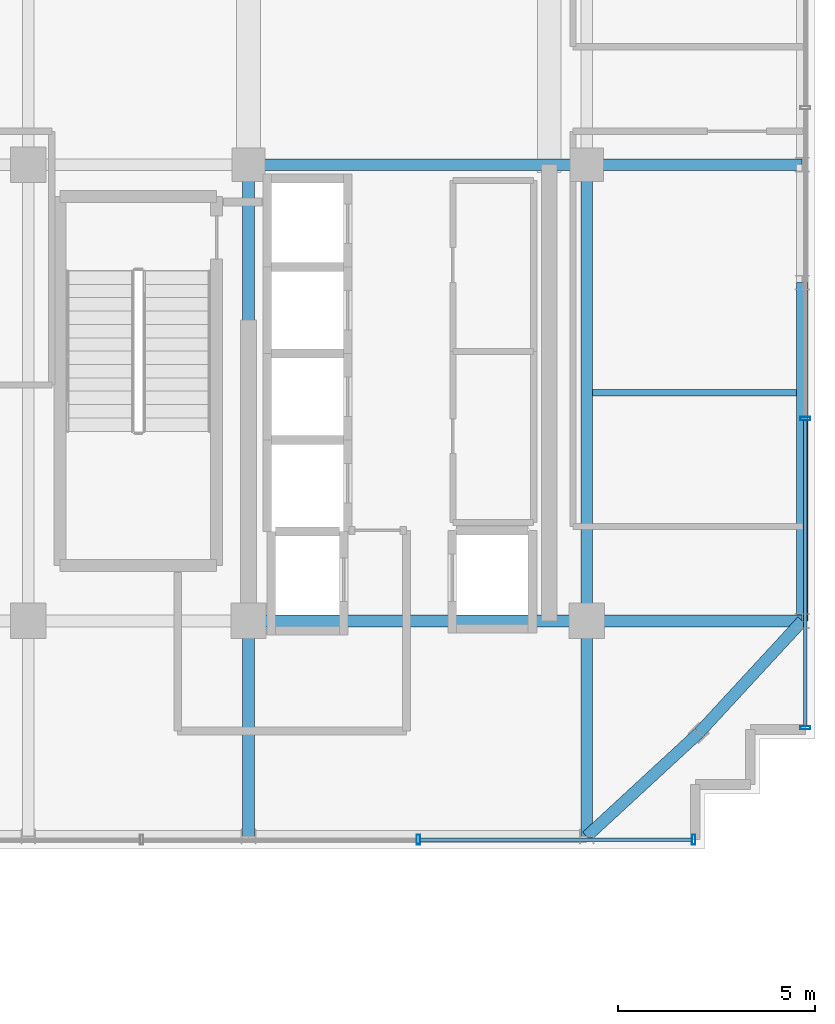
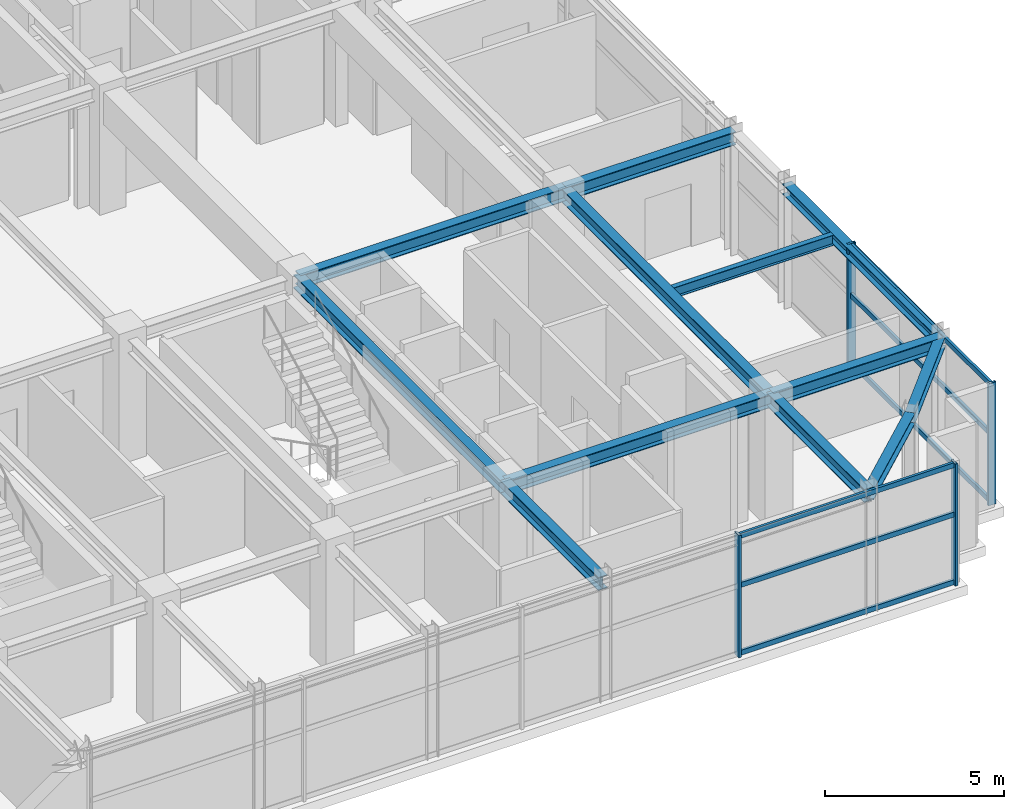
# One storey, part 10 of 25: 12 beams, 10 members, 2 elements without a shape of their own.
"""IFC4 building model written with IfcOpenShell, lengths in metres."""

import ifcopenshell
import ifcopenshell.guid

model = None  # the IFC model being written
_history = None  # IfcOwnerHistory: only IFC2X3 demands one
_inside = {}  # id of a spatial element -> (the spatial element, [elements in it])
_under = {}  # id of a project, library or spatial element -> (it, [spatial elements below it])
_declared = {}  # id of a project -> (the project, [libraries it declares])
_typed = {}  # id of a type object -> (the type object, [elements of that type])
_made_of = {}  # id of a material, layer set ... -> (it, [elements and type objects made of it])


def new_model(schema):
    """Start an empty IFC model of exactly this schema.

    Asked for "IFC4X3", IfcOpenShell would pick the latest addendum, in which some entities
    have other attributes; the version numbers below select the first issue.
    IFC2X3 requires an IfcOwnerHistory on every rooted entity: one is made here for all.
    """
    global model, _history
    if schema == "IFC4X3":
        model = ifcopenshell.file(schema_version=(4, 3, 0, 0))
    else:
        model = ifcopenshell.file(schema=schema)
    _inside.clear()
    _under.clear()
    _declared.clear()
    _typed.clear()
    _made_of.clear()
    _history = None
    if model.schema == "IFC2X3":
        org = make("IfcOrganization", Name="unknown")
        user = make(
            "IfcPersonAndOrganization",
            ThePerson=make("IfcPerson", FamilyName="unknown"),
            TheOrganization=org,
        )
        app = make(
            "IfcApplication",
            ApplicationDeveloper=org,
            Version="unknown",
            ApplicationFullName="unknown",
            ApplicationIdentifier="unknown",
        )
        _history = make(
            "IfcOwnerHistory",
            OwningUser=user,
            OwningApplication=app,
            ChangeAction="ADDED",
            CreationDate=0,
        )
    return model


def make(cls, **values):
    """One entity of the class cls with the attributes given. An attribute that is None is left unset."""
    return model.create_entity(
        cls, **{name: value for name, value in values.items() if value is not None}
    )


def rooted(cls, **values):
    """An entity with a GlobalId (a new one), such as an element, a storey or a relation."""
    return make(cls, GlobalId=ifcopenshell.guid.new(), OwnerHistory=_history, **values)


def si_unit(unit_type, name, prefix=None):
    """IfcSIUnit, for example si_unit("LENGTHUNIT", "METRE", prefix="MILLI")."""
    return make("IfcSIUnit", UnitType=unit_type, Prefix=prefix, Name=name)


def assignment(units):
    """IfcUnitAssignment: the units of a project."""
    return None if units is None else make("IfcUnitAssignment", Units=units)


def point(xyz):
    """IfcCartesianPoint."""
    return None if xyz is None else make("IfcCartesianPoint", Coordinates=xyz)


def direction(xyz):
    """IfcDirection."""
    return None if xyz is None else make("IfcDirection", DirectionRatios=xyz)


def frame(location, z_axis=None, x_axis=None):
    """IfcAxis2Placement3D, a coordinate frame: its origin and axes. An axis left out is left unset."""
    return make(
        "IfcAxis2Placement3D",
        Location=point(location),
        Axis=direction(z_axis),
        RefDirection=direction(x_axis),
    )


def frame_2d(location, x_axis=None):
    """IfcAxis2Placement2D, a coordinate frame in the plane: its origin and x axis."""
    return make(
        "IfcAxis2Placement2D", Location=point(location), RefDirection=direction(x_axis)
    )


def origin():
    """The frame at (0, 0, 0) with its axes left unset."""
    return frame((0.0, 0.0, 0.0))


def origin_2d():
    """The frame at (0, 0) in the plane with its x axis left unset."""
    return frame_2d((0.0, 0.0))


def place(relative_to, where):
    """IfcLocalPlacement: puts the frame where relative to a parent placement (None: the world)."""
    return make(
        "IfcLocalPlacement", PlacementRelTo=relative_to, RelativePlacement=where
    )


def context(
    kind, dimensions, precision=None, world=None, true_north=None, identifier=None
):
    """IfcGeometricRepresentationContext, for example the 3D "Model" context."""
    return make(
        "IfcGeometricRepresentationContext",
        ContextIdentifier=identifier,
        ContextType=kind,
        CoordinateSpaceDimension=dimensions,
        Precision=precision,
        WorldCoordinateSystem=world,
        TrueNorth=true_north,
    )


def subcontext(parent, identifier, kind, view, scale=None):
    """IfcGeometricRepresentationSubContext, for example "Body" below "Model"."""
    return make(
        "IfcGeometricRepresentationSubContext",
        ContextIdentifier=identifier,
        ContextType=kind,
        ParentContext=parent,
        TargetScale=scale,
        TargetView=view,
    )


def project(units=None, contexts=None):
    """IfcProject with its units and contexts."""
    return rooted(
        "IfcProject",
        Name="project",
        RepresentationContexts=contexts,
        UnitsInContext=assignment(units),
    )


def spatial(cls, under=None, at=None, **own):
    """A site, building, storey or space (cls), placed at a placement, below another one or the project."""
    s = rooted(cls, ObjectPlacement=at, **own)
    if under is not None:
        _under.setdefault(under.id(), (under, []))[1].append(s)
    return s


def profile(cls, at=None, kind="AREA", **sizes):
    """A parametric profile (cls). Its sizes go by their IFC names, for example OverallWidth=200.0."""
    return make(cls, ProfileType=kind, Position=at, **sizes)


def hollow_rectangle(**sizes):
    """IfcRectangleHollowProfileDef."""
    return profile("IfcRectangleHollowProfileDef", **sizes)


def i_section(**sizes):
    """IfcIShapeProfileDef."""
    return profile("IfcIShapeProfileDef", **sizes)


def extrude(swept, where, along, depth):
    """IfcExtrudedAreaSolid: the profile swept, set in the frame where, extruded along a direction by depth."""
    return make(
        "IfcExtrudedAreaSolid",
        SweptArea=swept,
        Position=where,
        ExtrudedDirection=direction(along),
        Depth=depth,
    )


def shape(context_of_items, identifier, shape_type, items):
    """IfcShapeRepresentation: the items that make up one representation, for example the "Body"."""
    return make(
        "IfcShapeRepresentation",
        ContextOfItems=context_of_items,
        RepresentationIdentifier=identifier,
        RepresentationType=shape_type,
        Items=items,
    )


def source(mapping_origin, context_of_items, identifier, shape_type, items):
    """IfcRepresentationMap: a shape defined once, which mapped items show again and again."""
    return make(
        "IfcRepresentationMap",
        MappingOrigin=mapping_origin,
        MappedRepresentation=shape(context_of_items, identifier, shape_type, items),
    )


def transform(
    local_origin,
    x_axis=None,
    y_axis=None,
    z_axis=None,
    scale=None,
    scale2=None,
    scale3=None,
    uniform=True,
):
    """IfcCartesianTransformationOperator3D, or its non-uniform kind. x_axis, y_axis, z_axis: its Axis1, 2, 3."""
    if uniform:
        return make(
            "IfcCartesianTransformationOperator3D",
            Axis1=direction(x_axis),
            Axis2=direction(y_axis),
            LocalOrigin=point(local_origin),
            Scale=scale,
            Axis3=direction(z_axis),
        )
    return make(
        "IfcCartesianTransformationOperator3DnonUniform",
        Axis1=direction(x_axis),
        Axis2=direction(y_axis),
        LocalOrigin=point(local_origin),
        Scale=scale,
        Axis3=direction(z_axis),
        Scale2=scale2,
        Scale3=scale3,
    )


def mapped(mapping_source, mapping_target):
    """IfcMappedItem: shows the shape of a source again, moved by a transform."""
    return make(
        "IfcMappedItem", MappingSource=mapping_source, MappingTarget=mapping_target
    )


def material(Name=None, Category=None):
    """IfcMaterial."""
    return make("IfcMaterial", Name=Name, Category=Category)


def material_profile(
    of_material, cross_section, Name=None, Category=None, Priority=None
):
    """IfcMaterialProfile: a cross section and its material."""
    return make(
        "IfcMaterialProfile",
        Name=Name,
        Material=of_material,
        Profile=cross_section,
        Priority=Priority,
        Category=Category,
    )


def profile_set(profiles, Name=None, composite=None):
    """IfcMaterialProfileSet."""
    return make(
        "IfcMaterialProfileSet",
        Name=Name,
        MaterialProfiles=profiles,
        CompositeProfile=composite,
    )


def made_of(thing, what):
    """Note that an element or type object is made of a material, layer set ...; save() writes the relation."""
    if what is not None:
        _made_of.setdefault(what.id(), (what, []))[1].append(thing)
    return thing


def type_object(cls, material=None, **own):
    """A type object (cls), such as IfcWallType, which elements share."""
    return made_of(rooted(cls, **own), material)


def element(
    cls,
    number,
    at=None,
    inside=None,
    cuts=None,
    type_object=None,
    material=None,
    context=None,
    identifier="Body",
    shape_type=None,
    held_by="IfcProductDefinitionShape",
    body=None,
    shapes=None,
    **own,
):
    """One element of the class cls, such as IfcWall. Its Tag is "e" and its number.

    at: its placement. inside: the storey or other place that contains it. cuts: it is an
    opening in that element (IfcRelVoidsElement). A single representation is given by context,
    identifier, shape_type and body (its items); several are given by shapes. held_by: the class
    of the entity that holds the representations. save() writes the other relations.
    """
    e = rooted(cls, Tag="e%d" % number, ObjectPlacement=at, **own)
    if body is not None:
        shapes = [shape(context, identifier, shape_type, body)]
    if shapes is not None:
        e.Representation = make(held_by, Representations=shapes)
    if inside is not None:
        _inside.setdefault(inside.id(), (inside, []))[1].append(e)
    if cuts is not None:
        rooted(
            "IfcRelVoidsElement", RelatingBuildingElement=cuts, RelatedOpeningElement=e
        )
    if type_object is not None:
        _typed.setdefault(type_object.id(), (type_object, []))[1].append(e)
    return made_of(e, material)


def aggregate(whole, parts):
    """IfcRelAggregates: a whole, such as a stair, and the parts it consists of."""
    return rooted("IfcRelAggregates", RelatingObject=whole, RelatedObjects=parts)


def save(model, path):
    """Write the relations noted so far, then the file.

    IfcRelAggregates (storeys below a building ...), IfcRelContainedInSpatialStructure (elements
    in a storey), IfcRelDefinesByType, IfcRelAssociatesMaterial and IfcRelDeclares: one each for
    every whole, place, type object, material and project.
    """
    for whole, parts in _under.values():
        aggregate(whole, parts)
    for where, things in _inside.values():
        rooted(
            "IfcRelContainedInSpatialStructure",
            RelatedElements=things,
            RelatingStructure=where,
        )
    for kind, things in _typed.values():
        rooted("IfcRelDefinesByType", RelatedObjects=things, RelatingType=kind)
    for what, things in _made_of.values():
        rooted("IfcRelAssociatesMaterial", RelatedObjects=things, RelatingMaterial=what)
    for by, libraries in _declared.values():
        rooted("IfcRelDeclares", RelatingContext=by, RelatedDefinitions=libraries)
    model.write(path)


model = new_model("IFC4")

# Units and contexts
model_context = context("Model", 3, precision=1e-05, world=origin(), true_north=direction((0.0, 1.0)))
body_context = subcontext(model_context, "Body", "Model", "MODEL_VIEW")
ifc_project = project(units=[si_unit("LENGTHUNIT", "METRE"), si_unit("AREAUNIT", "SQUARE_METRE"), si_unit("VOLUMEUNIT", "CUBIC_METRE"), si_unit("PLANEANGLEUNIT", "RADIAN"), si_unit("MASSUNIT", "GRAM", prefix="KILO")], contexts=[model_context])

# Site, building, storey
site_placement = place(None, origin())
site = spatial("IfcSite", under=ifc_project, at=site_placement, CompositionType="ELEMENT")
building_placement = place(site_placement, origin())
building = spatial("IfcBuilding", under=site, at=building_placement, Name="Nahalor Promenade Grand Hotel", CompositionType="ELEMENT")
storey_placement = place(building_placement, frame((0.0, 0.0, 338.550048828125)))
storey = spatial("IfcBuildingStorey", under=building, at=storey_placement, Name="L87", CompositionType="ELEMENT", Elevation=338.550048828125)

# Beams
ifc_material_1 = material(Name="Steel S355JR", Category="steel")
ifc_material_profile_1 = material_profile(ifc_material_1, i_section(OverallWidth=0.3, OverallDepth=0.45, WebThickness=0.014, FlangeThickness=0.026, at=origin_2d()), Name="HEB 450")
ifc_profile_set_1 = profile_set([ifc_material_profile_1], Name="Steel S355JR")
beam_type_1 = type_object("IfcBeamType", Name="Beam-Girder-HEB450", PredefinedType="BEAM", material=ifc_profile_set_1)
shared_shape_1 = source(origin(), body_context, "Body", "SweptSolid", [
    extrude(i_section(OverallWidth=0.3, OverallDepth=0.45, WebThickness=0.014, FlangeThickness=0.026, at=origin_2d()), origin(), (0.0, 0.0, 1.0), 8.60009765625),
])
for number, where, z_axis, x_axis, name in (
    (1, (8.39990234375, -17.0, 3.945068359375), (1.0, 0.0, 0.0), (0.0, 1.0, 0.0), "BM-L87-GX-0-5"),
    (2, (8.39990234375, -5.39990234375, 3.945068359375), (1.0, 0.0, 0.0), (0.0, 1.0, 0.0), "BM-L87-GX-1-5"),
):
    element("IfcBeam", number, at=place(storey_placement, frame(where, z_axis=z_axis, x_axis=x_axis)), inside=storey, type_object=beam_type_1, Name=name, PredefinedType="BEAM", context=body_context, shape_type="MappedRepresentation", body=[
        mapped(shared_shape_1, transform((0.0, 0.0, 0.0), scale=1.0)),
    ])
shared_shape_2 = source(origin(), body_context, "Body", "SweptSolid", [
    extrude(i_section(OverallWidth=0.3, OverallDepth=0.45, WebThickness=0.014, FlangeThickness=0.026, at=origin_2d()), origin(), (0.0, 0.0, 1.0), 11.60009765625),
])
for number, where, z_axis, x_axis, name in (
    (3, (8.39990234375, -17.0, 3.945068359375), (0.0, 1.0, 0.0), (-1.0, 0.0, 0.0), "BM-L87-GY-4-1"),
    (4, (17.0, -17.0, 3.945068359375), (0.0, 1.0, 0.0), (-1.0, 0.0, 0.0), "BM-L87-GY-5-1"),
):
    element("IfcBeam", number, at=place(storey_placement, frame(where, z_axis=z_axis, x_axis=x_axis)), inside=storey, type_object=beam_type_1, Name=name, PredefinedType="BEAM", context=body_context, shape_type="MappedRepresentation", body=[
        mapped(shared_shape_2, transform((0.0, 0.0, 0.0), scale=1.0)),
    ])
shared_shape_3 = source(origin(), body_context, "Body", "SweptSolid", [
    extrude(i_section(OverallWidth=0.3, OverallDepth=0.45, WebThickness=0.014, FlangeThickness=0.026, at=origin_2d()), origin(), (0.0, 0.0, 1.0), 5.47998046875),
])
for number, where, z_axis, x_axis, name in (
    (5, (17.0, -17.0, 3.945068359375), (1.0, 0.0, 0.0), (0.0, 1.0, 0.0), "BM-L87-GX-0-6"),
    (6, (17.0, -5.39990234375, 3.945068359375), (1.0, 0.0, 0.0), (0.0, 1.0, 0.0), "BM-L87-GX-1-6"),
    (7, (8.39990234375, -22.47998046875, 3.945068359375), (0.0, 1.0, 0.0), (-1.0, 0.0, 0.0), "BM-L87-GY-4-0"),
    (8, (17.0, -22.47998046875, 3.945068359375), (0.0, 1.0, 0.0), (-1.0, 0.0, 0.0), "BM-L87-GY-5-0"),
):
    element("IfcBeam", number, at=place(storey_placement, frame(where, z_axis=z_axis, x_axis=x_axis)), inside=storey, type_object=beam_type_1, Name=name, PredefinedType="BEAM", context=body_context, shape_type="MappedRepresentation", body=[
        mapped(shared_shape_3, transform((0.0, 0.0, 0.0), scale=1.0)),
    ])
ifc_material_profile_2 = material_profile(ifc_material_1, i_section(OverallWidth=0.3, OverallDepth=0.36, WebThickness=0.0125, FlangeThickness=0.0225, at=origin_2d()), Name="HEB 360")
ifc_profile_set_2 = profile_set([ifc_material_profile_2], Name="Steel S355JR")
beam_type_2 = type_object("IfcBeamType", Name="Beam-Spandrel-HEB360", PredefinedType="SPANDREL", material=ifc_profile_set_2)
shared_shape_4 = source(origin(), body_context, "Body", "SweptSolid", [
    extrude(i_section(OverallWidth=0.3, OverallDepth=0.36, WebThickness=0.0125, FlangeThickness=0.0225, at=origin_2d()), origin(), (0.0, 0.0, 1.0), 8.60009765625),
])
beam_1_placement = place(storey_placement, frame((22.47998046875, -17.0, 3.989990234375), z_axis=(0.0, 1.0, 0.0), x_axis=(-1.0, 0.0, 0.0)))
element("IfcBeam", 9, at=beam_1_placement, inside=storey, type_object=beam_type_2, Name="BM-L87-SP-E-0", PredefinedType="SPANDREL", context=body_context, shape_type="MappedRepresentation", body=[
    mapped(shared_shape_4, transform((0.0, 0.0, 0.0), scale=1.0)),
])
shared_shape_5 = source(origin(), body_context, "Body", "SweptSolid", [
    extrude(i_section(OverallWidth=0.3, OverallDepth=0.36, WebThickness=0.0125, FlangeThickness=0.0225, at=origin_2d()), origin(), (0.0, 0.0, 1.0), 3.878173828125),
])
for number, where, z_axis, x_axis, name in (
    (10, (17.0, -22.47998046875, 3.989990234375), (0.73492893846, 0.678144125843, 0.0), (-0.678144125843, 0.73492893846, 0.0), "BM-L87-SPC-SE-1"),
    (11, (19.85009765625, -19.85009765625, 3.989990234375), (0.678144125843, 0.73492893846, 0.0), (-0.73492893846, 0.678144125843, 0.0), "BM-L87-SPC-SE-2"),
):
    element("IfcBeam", number, at=place(storey_placement, frame(where, z_axis=z_axis, x_axis=x_axis)), inside=storey, type_object=beam_type_2, Name=name, PredefinedType="SPANDREL", context=body_context, shape_type="MappedRepresentation", body=[
        mapped(shared_shape_5, transform((0.0, 0.0, 0.0), scale=1.0)),
    ])
ifc_material_profile_3 = material_profile(ifc_material_1, i_section(OverallWidth=0.17, OverallDepth=0.36, WebThickness=0.008, FlangeThickness=0.0127, at=origin_2d()), Name="IPE 360")
ifc_profile_set_3 = profile_set([ifc_material_profile_3], Name="Steel S355JR")
beam_type_3 = type_object("IfcBeamType", Name="Beam-Joist-IPE360", PredefinedType="JOIST", material=ifc_profile_set_3)
shared_shape_6 = source(origin(), body_context, "Body", "SweptSolid", [
    extrude(i_section(OverallWidth=0.17, OverallDepth=0.36, WebThickness=0.008, FlangeThickness=0.0127, at=origin_2d()), origin(), (0.0, 0.0, 1.0), 5.18017578125),
])
beam_2_placement = place(storey_placement, frame((17.14990234375, -11.199951171875, 3.989990234375), z_axis=(1.0, 0.0, 0.0), x_axis=(0.0, 1.0, 0.0)))
element("IfcBeam", 12, at=beam_2_placement, inside=storey, type_object=beam_type_3, Name="BM-L87-JSE-0-2", PredefinedType="JOIST", context=body_context, shape_type="MappedRepresentation", body=[
    mapped(shared_shape_6, transform((0.0, 0.0, 0.0), scale=1.0)),
])

# Curtain wall, members
ifc_material_2 = material(Name="Anodised Bronze Aluminium EN AW-6063 T6", Category="aluminium")
curtain_wall_type = type_object("IfcCurtainWallType", Name="CW5 Sky-Lobby & Observation Panoramic Curtain Wall", PredefinedType="USERDEFINED", material=ifc_material_2)
curtain_wall_1_placement = place(storey_placement, origin())
curtain_wall_1 = element("IfcCurtainWall", 13, at=curtain_wall_1_placement, inside=storey, type_object=curtain_wall_type, Name="L87 Curtain Wall CW-L87-S-3", ObjectType="UNITISED_CURTAIN_WALL", PredefinedType="USERDEFINED")
ifc_material_profile_4 = material_profile(ifc_material_2, hollow_rectangle(XDim=0.085, YDim=0.25, WallThickness=0.006, at=origin_2d()), Name="CWM 85x250x6")
ifc_profile_set_4 = profile_set([ifc_material_profile_4], Name="Anodised Bronze Aluminium EN AW-6063 T6")
member_type_1 = type_object("IfcMemberType", Name="CWM5 Panoramic Deep Mullion 85x250", PredefinedType="MULLION", material=ifc_profile_set_4)
shared_shape_7 = source(origin(), body_context, "Body", "SweptSolid", [
    extrude(hollow_rectangle(XDim=0.085, YDim=0.25, WallThickness=0.006, at=origin_2d()), origin(), (0.0, 0.0, 1.0), 4.169921875),
])
member_1_placement = place(storey_placement, frame((12.719970703125, -22.56005859375, 0.0), z_axis=(0.0, 0.0, 1.0), x_axis=(1.0, 0.0, 0.0)))
member_1 = element("IfcMember", 14, at=member_1_placement, type_object=member_type_1, Name="CW-L87-S-3 Mullion 3", PredefinedType="MULLION", context=body_context, shape_type="MappedRepresentation", body=[
    mapped(shared_shape_7, transform((0.0, 0.0, 0.0), scale=1.0)),
])
member_2_placement = place(storey_placement, frame((19.717529296875, -22.56005859375, 0.0), z_axis=(0.0, 0.0, 1.0), x_axis=(1.0, 0.0, 0.0)))
member_2 = element("IfcMember", 15, at=member_2_placement, type_object=member_type_1, Name="CW-L87-S-3 Mullion 4", PredefinedType="MULLION", context=body_context, shape_type="MappedRepresentation", body=[
    mapped(shared_shape_7, transform((0.0, 0.0, 0.0), scale=1.0)),
])

curtain_wall_2_placement = place(storey_placement, origin())
curtain_wall_2 = element("IfcCurtainWall", 16, at=curtain_wall_2_placement, inside=storey, type_object=curtain_wall_type, Name="L87 Curtain Wall CW-L87-E-1", ObjectType="UNITISED_CURTAIN_WALL", PredefinedType="USERDEFINED")
member_3_placement = place(storey_placement, frame((22.56005859375, -19.717529296875, 0.0), z_axis=(0.0, 0.0, 1.0), x_axis=(0.0, 1.0, 0.0)))
member_3 = element("IfcMember", 17, at=member_3_placement, type_object=member_type_1, Name="CW-L87-E-1 Mullion 0", PredefinedType="MULLION", context=body_context, shape_type="MappedRepresentation", body=[
    mapped(shared_shape_7, transform((0.0, 0.0, 0.0), scale=1.0)),
])
member_4_placement = place(storey_placement, frame((22.56005859375, -11.85595703125, 0.0), z_axis=(0.0, 0.0, 1.0), x_axis=(0.0, 1.0, 0.0)))
member_4 = element("IfcMember", 18, at=member_4_placement, type_object=member_type_1, Name="CW-L87-E-1 Mullion 1", PredefinedType="MULLION", context=body_context, shape_type="MappedRepresentation", body=[
    mapped(shared_shape_7, transform((0.0, 0.0, 0.0), scale=1.0)),
])

# Member
ifc_material_profile_5 = material_profile(ifc_material_2, hollow_rectangle(XDim=0.085, YDim=0.17, WallThickness=0.005, at=origin_2d()), Name="CWT 85x170x5")
ifc_profile_set_5 = profile_set([ifc_material_profile_5], Name="Anodised Bronze Aluminium EN AW-6063 T6")
member_type_2 = type_object("IfcMemberType", Name="CWT5 Panoramic Transom 85x170", PredefinedType="USERDEFINED", material=ifc_profile_set_5)
shared_shape_8 = source(origin(), body_context, "Body", "SweptSolid", [
    extrude(hollow_rectangle(XDim=0.085, YDim=0.17, WallThickness=0.005, at=origin_2d()), origin(), (0.0, 0.0, 1.0), 6.91259765625),
])
member_5_placement = place(storey_placement, frame((12.762451171875, -22.56005859375, 0.0849609375), z_axis=(1.0, 0.0, 0.0), x_axis=(0.0, 1.0, 0.0)))
member_5 = element("IfcMember", 19, at=member_5_placement, type_object=member_type_2, Name="CW-L87-S-3 Transom 3-0", ObjectType="TRANSOM", PredefinedType="USERDEFINED", context=body_context, shape_type="MappedRepresentation", body=[
    mapped(shared_shape_8, transform((0.0, 0.0, 0.0), scale=1.0)),
])

member_6_placement = place(storey_placement, frame((12.762451171875, -22.56005859375, 2.39990234375), z_axis=(1.0, 0.0, 0.0), x_axis=(0.0, 1.0, 0.0)))
member_6 = element("IfcMember", 20, at=member_6_placement, type_object=member_type_2, Name="CW-L87-S-3 Transom 3-1", ObjectType="TRANSOM", PredefinedType="USERDEFINED", context=body_context, shape_type="MappedRepresentation", body=[
    mapped(shared_shape_8, transform((0.0, 0.0, 0.0), scale=1.0)),
])

member_7_placement = place(storey_placement, frame((12.762451171875, -22.56005859375, 4.0849609375), z_axis=(1.0, 0.0, 0.0), x_axis=(0.0, 1.0, 0.0)))
member_7 = element("IfcMember", 21, at=member_7_placement, type_object=member_type_2, Name="CW-L87-S-3 Transom 3-2", ObjectType="TRANSOM", PredefinedType="USERDEFINED", context=body_context, shape_type="MappedRepresentation", body=[
    mapped(shared_shape_8, transform((0.0, 0.0, 0.0), scale=1.0)),
])

aggregate(curtain_wall_1, [member_1, member_2, member_5, member_6, member_7])

shared_shape_9 = source(origin(), body_context, "Body", "SweptSolid", [
    extrude(hollow_rectangle(XDim=0.085, YDim=0.17, WallThickness=0.005, at=origin_2d()), origin(), (0.0, 0.0, 1.0), 7.776611328125),
])
member_8_placement = place(storey_placement, frame((22.56005859375, -19.675048828125, 0.0849609375), z_axis=(0.0, 1.0, 0.0), x_axis=(-1.0, 0.0, 0.0)))
member_8 = element("IfcMember", 22, at=member_8_placement, type_object=member_type_2, Name="CW-L87-E-1 Transom 0-0", ObjectType="TRANSOM", PredefinedType="USERDEFINED", context=body_context, shape_type="MappedRepresentation", body=[
    mapped(shared_shape_9, transform((0.0, 0.0, 0.0), scale=1.0)),
])

member_9_placement = place(storey_placement, frame((22.56005859375, -19.675048828125, 2.39990234375), z_axis=(0.0, 1.0, 0.0), x_axis=(-1.0, 0.0, 0.0)))
member_9 = element("IfcMember", 23, at=member_9_placement, type_object=member_type_2, Name="CW-L87-E-1 Transom 0-1", ObjectType="TRANSOM", PredefinedType="USERDEFINED", context=body_context, shape_type="MappedRepresentation", body=[
    mapped(shared_shape_9, transform((0.0, 0.0, 0.0), scale=1.0)),
])

member_10_placement = place(storey_placement, frame((22.56005859375, -19.675048828125, 4.0849609375), z_axis=(0.0, 1.0, 0.0), x_axis=(-1.0, 0.0, 0.0)))
member_10 = element("IfcMember", 24, at=member_10_placement, type_object=member_type_2, Name="CW-L87-E-1 Transom 0-2", ObjectType="TRANSOM", PredefinedType="USERDEFINED", context=body_context, shape_type="MappedRepresentation", body=[
    mapped(shared_shape_9, transform((0.0, 0.0, 0.0), scale=1.0)),
])

aggregate(curtain_wall_2, [member_3, member_4, member_8, member_9, member_10])

save(model, "model.ifc")
